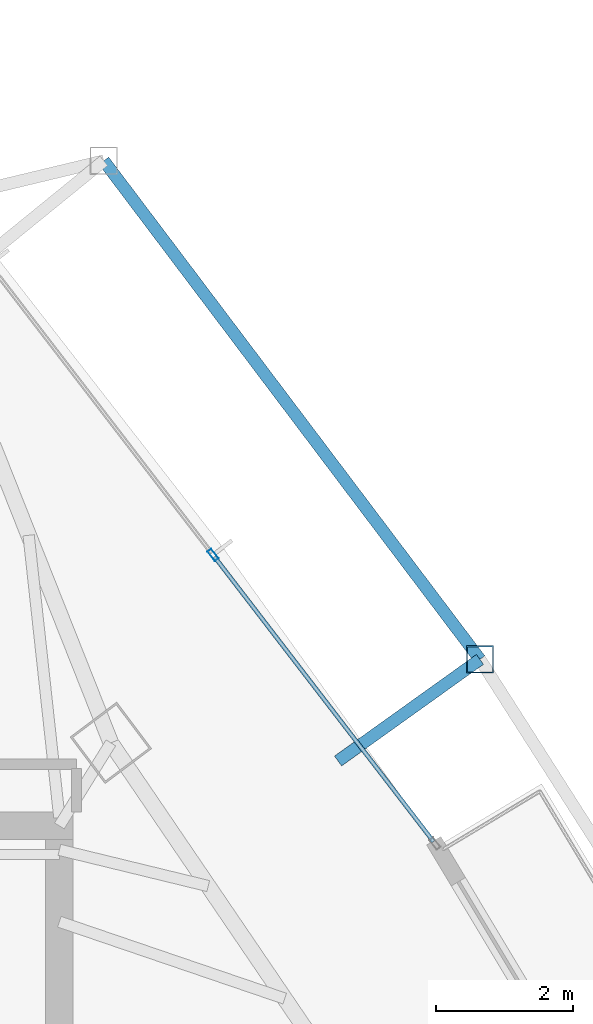
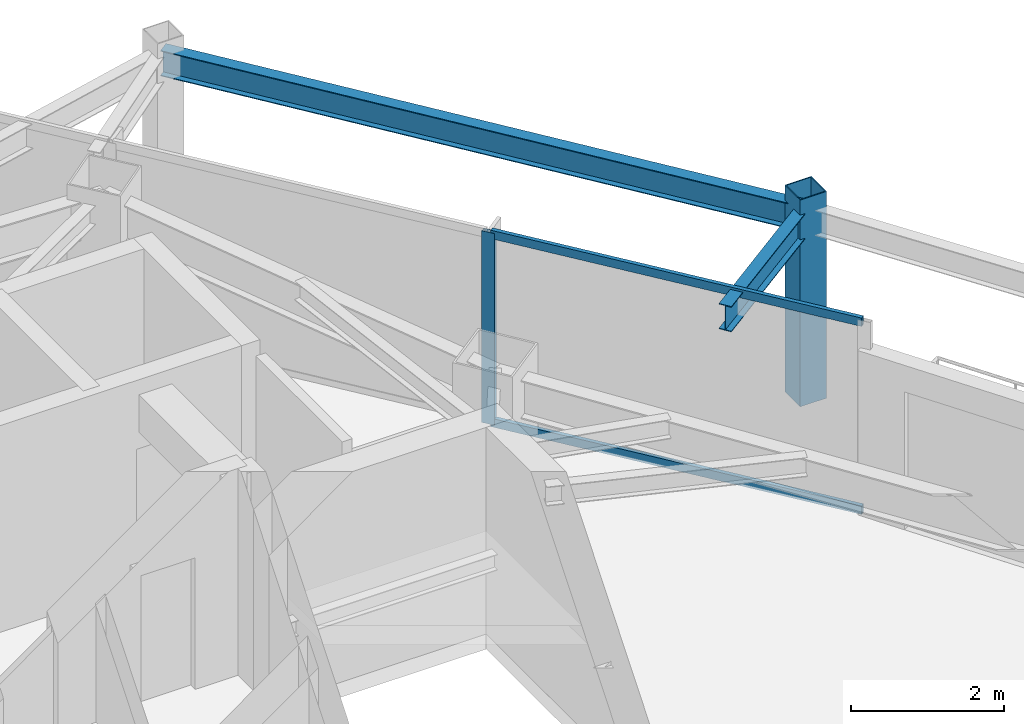
# One storey, part 24 of 30: 4 members, 2 beams, 1 element without a shape of its own.
"""IFC4 building model written with IfcOpenShell, lengths in metres."""

from ifc_helpers import new_model, si_unit, direction, frame, origin, origin_2d, place, context, subcontext, project, spatial, hollow_rectangle, i_section, extrude, material, layer, layer_set, material_profile, profile_set, type_object, element, aggregate, save


model = new_model("IFC4")

# Units and contexts
model_context = context("Model", 3, precision=1e-05, world=origin(), true_north=direction((0.0, 1.0)))
body_context = subcontext(model_context, "Body", "Model", "MODEL_VIEW")
ifc_project = project(units=[si_unit("LENGTHUNIT", "METRE"), si_unit("AREAUNIT", "SQUARE_METRE"), si_unit("VOLUMEUNIT", "CUBIC_METRE"), si_unit("PLANEANGLEUNIT", "RADIAN"), si_unit("MASSUNIT", "GRAM", prefix="KILO")], contexts=[model_context])

# Site, building, storey
site_placement = place(None, origin())
site = spatial("IfcSite", under=ifc_project, at=site_placement, CompositionType="ELEMENT")
building_placement = place(site_placement, origin())
building = spatial("IfcBuilding", under=site, at=building_placement, Name="Orvanel Arch Residences", CompositionType="ELEMENT")
storey_placement = place(building_placement, frame((0.0, 0.0, 180.35009765625)))
storey = spatial("IfcBuildingStorey", under=building, at=storey_placement, Name="L51", CompositionType="ELEMENT", Elevation=180.35009765625)

# Curtain wall, member
ifc_material_1 = material(Name="Bronze-anodised aluminium AA6063-T6", Category="aluminium")
ifc_layer = layer(ifc_material_1, 0.179931640625)
ifc_layer_set = layer_set([ifc_layer], Name="Bronze-anodised aluminium AA6063-T6")
curtain_wall_type = type_object("IfcCurtainWallType", Name="CW3-MID-SYS", PredefinedType="NOTDEFINED", material=ifc_layer_set)
curtain_wall_placement = place(storey_placement, origin())
curtain_wall = element("IfcCurtainWall", 1, at=curtain_wall_placement, inside=storey, type_object=curtain_wall_type, Name="L51 CW3-MID-SYS Unitised Curtain Wall", PredefinedType="NOTDEFINED")
ifc_material_profile_1 = material_profile(ifc_material_1, hollow_rectangle(XDim=0.070068359375, YDim=0.179931640625, WallThickness=0.00439453125, at=origin_2d()), Name="ALU180x70x4.5")
ifc_profile_set_1 = profile_set([ifc_material_profile_1], Name="Bronze-anodised aluminium AA6063-T6")
member_type_1 = type_object("IfcMemberType", Name="MUL-180x70", PredefinedType="MULLION", material=ifc_profile_set_1)
member_1_placement = place(storey_placement, frame((41.8447265625, 37.85791015625, 0.0), z_axis=(0.0, 0.0, 1.0), x_axis=(-0.792760568197, -0.609533166868, 0.0)))
member_1 = element("IfcMember", 2, at=member_1_placement, type_object=member_type_1, Name="CW-S3 mullion 2", PredefinedType="MULLION", context=body_context, shape_type="SweptSolid", body=[
    extrude(hollow_rectangle(XDim=0.070068359375, YDim=0.179931640625, WallThickness=0.00439453125, at=origin_2d()), origin(), (0.0, 0.0, 1.0), 3.059814453125),
])

# Beams
ifc_material_2 = material(Name="Structural steel AS/NZS 3679.1 Grade 300 (300 MPa)", Category="steel")
ifc_material_profile_2 = material_profile(ifc_material_2, i_section(OverallWidth=0.177978515625, OverallDepth=0.406005859375, WebThickness=0.0078125, FlangeThickness=0.0126953125, at=origin_2d()), Name="410UB59.7")
ifc_profile_set_2 = profile_set([ifc_material_profile_2], Name="Structural steel AS/NZS 3679.1 Grade 300 (300 MPa)")
beam_type = type_object("IfcBeamType", Name="OB-410UB-EXT", PredefinedType="SPANDREL", material=ifc_profile_set_2)
beam_1_placement = place(storey_placement, frame((43.6708984375, 34.847900390625, 2.85693359375), z_axis=(0.813098899924, 0.582125569737, 0.0), x_axis=(-0.582125569737, 0.813098899924, 0.0)))
element("IfcBeam", 3, at=beam_1_placement, inside=storey, type_object=beam_type, Name="L51 Outer Frame Radial Tie Beam 11", PredefinedType="SPANDREL", context=body_context, shape_type="SweptSolid", body=[
    extrude(i_section(OverallWidth=0.177978515625, OverallDepth=0.406005859375, WebThickness=0.0078125, FlangeThickness=0.0126953125, at=origin_2d()), origin(), (0.0, 0.0, 1.0), 2.549560546875),
])
beam_2_placement = place(storey_placement, frame((45.743896484375, 36.33203125, 2.85693359375), z_axis=(-0.602288199753, 0.798278726034, 0.0), x_axis=(-0.798278726034, -0.602288199753, 0.0)))
element("IfcBeam", 4, at=beam_2_placement, inside=storey, type_object=beam_type, Name="L51 Outer Perimeter Floor Ring Beam 11", PredefinedType="SPANDREL", context=body_context, shape_type="SweptSolid", body=[
    extrude(i_section(OverallWidth=0.177978515625, OverallDepth=0.406005859375, WebThickness=0.0078125, FlangeThickness=0.0126953125, at=origin_2d()), origin(), (0.0, 0.0, 1.0), 9.123291015625),
])

# Member
ifc_material_3 = material(Name="Structural steel AS/NZS 1163 C450L0 (Grade 450)", Category="steel")
ifc_material_profile_3 = material_profile(ifc_material_3, hollow_rectangle(XDim=0.39990234375, YDim=0.39990234375, WallThickness=0.01611328125, at=origin_2d()), Name="SHS400x400x16")
ifc_profile_set_3 = profile_set([ifc_material_profile_3], Name="Structural steel AS/NZS 1163 C450L0 (Grade 450)")
member_type_2 = type_object("IfcMemberType", Name="ST-400SHS-EXT", PredefinedType="STRUT", material=ifc_profile_set_3)
member_2_placement = place(storey_placement, frame((45.743896484375, 36.33203125, 0.0), z_axis=(0.0, 0.0, 1.0), x_axis=(1.0, 0.0, 0.0)))
element("IfcMember", 5, at=member_2_placement, inside=storey, type_object=member_type_2, Name="L51 Outer Perimeter Frame Post 11", PredefinedType="STRUT", context=body_context, shape_type="SweptSolid", body=[
    extrude(hollow_rectangle(XDim=0.39990234375, YDim=0.39990234375, WallThickness=0.01611328125, at=origin_2d()), origin(), (0.0, 0.0, 1.0), 3.2998046875),
])

ifc_material_profile_4 = material_profile(ifc_material_1, hollow_rectangle(XDim=0.06005859375, YDim=0.135009765625, WallThickness=0.00390625, at=origin_2d()), Name="ALU135x60x4")
ifc_profile_set_4 = profile_set([ifc_material_profile_4], Name="Bronze-anodised aluminium AA6063-T6")
member_type_3 = type_object("IfcMemberType", Name="TRN-135x60", PredefinedType="USERDEFINED", material=ifc_profile_set_4)
member_3_placement = place(storey_placement, frame((45.064453125, 33.67041015625, 0.02978515625), z_axis=(-0.609537614099, 0.792757148816, 0.0), x_axis=(-0.792757148816, -0.609537614099, 0.0)))
member_3 = element("IfcMember", 6, at=member_3_placement, type_object=member_type_3, Name="CW-S3 transom 1.1", ObjectType="TRANSOM", PredefinedType="USERDEFINED", context=body_context, shape_type="SweptSolid", body=[
    extrude(hollow_rectangle(XDim=0.06005859375, YDim=0.135009765625, WallThickness=0.00390625, at=origin_2d()), origin(), (0.0, 0.0, 1.0), 5.247314453125),
])

member_4_placement = place(storey_placement, frame((45.064453125, 33.67041015625, 3.02978515625), z_axis=(-0.609537614099, 0.792757148816, 0.0), x_axis=(-0.792757148816, -0.609537614099, 0.0)))
member_4 = element("IfcMember", 7, at=member_4_placement, type_object=member_type_3, Name="CW-S3 transom 1.2", ObjectType="TRANSOM", PredefinedType="USERDEFINED", context=body_context, shape_type="SweptSolid", body=[
    extrude(hollow_rectangle(XDim=0.06005859375, YDim=0.135009765625, WallThickness=0.00390625, at=origin_2d()), origin(), (0.0, 0.0, 1.0), 5.247314453125),
])

aggregate(curtain_wall, [member_1, member_3, member_4])

save(model, "model.ifc")
